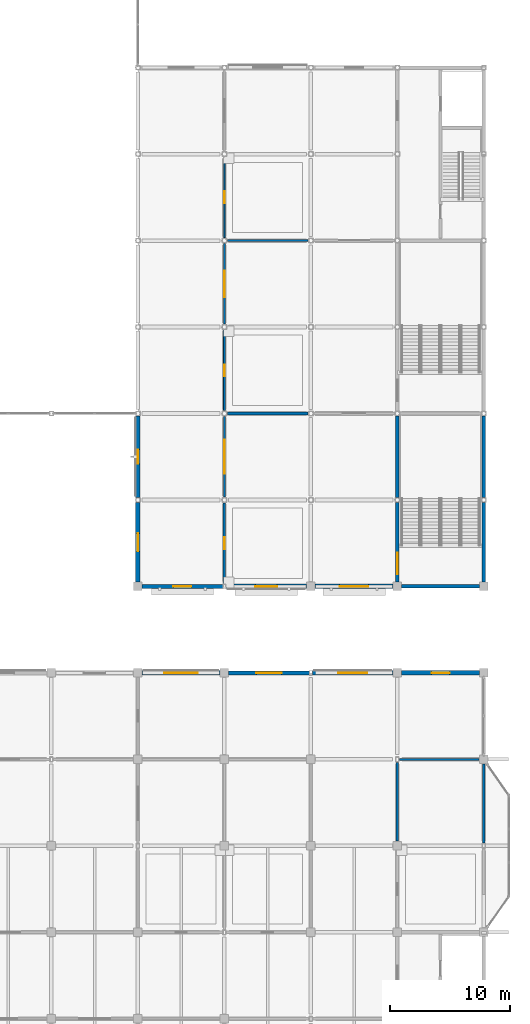
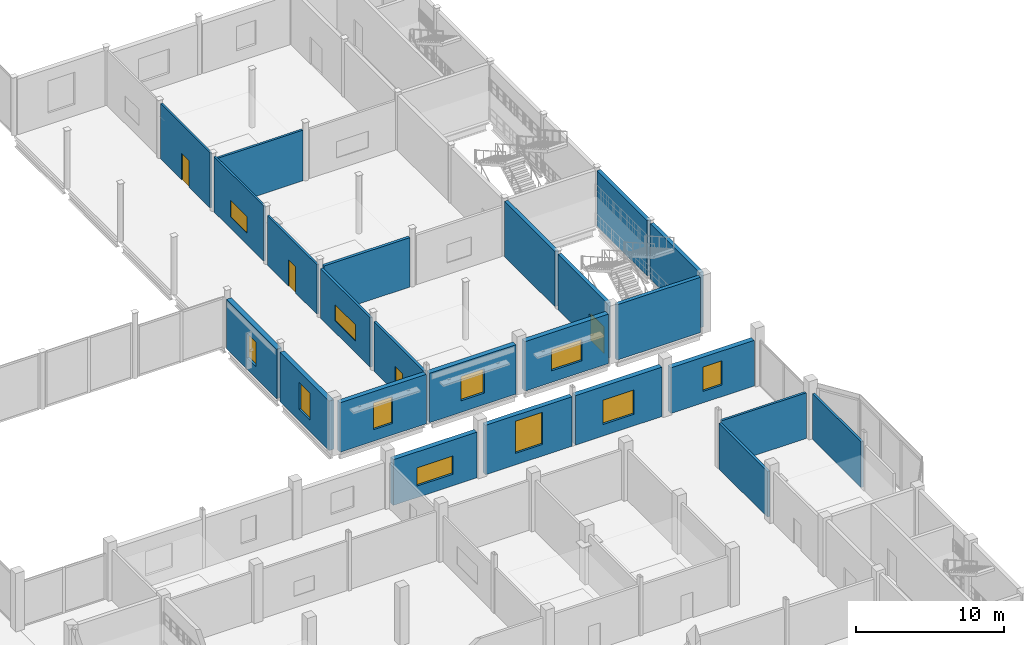
# One storey, part 97 of 120: 24 walls, 11 windows, 4 doors, 15 openings.
"""IFC4 building model written with IfcOpenShell, lengths in metres."""

import ifcopenshell
import ifcopenshell.guid

model = None  # the IFC model being written
_history = None  # IfcOwnerHistory: only IFC2X3 demands one
_inside = {}  # id of a spatial element -> (the spatial element, [elements in it])
_under = {}  # id of a project, library or spatial element -> (it, [spatial elements below it])
_declared = {}  # id of a project -> (the project, [libraries it declares])
_typed = {}  # id of a type object -> (the type object, [elements of that type])
_made_of = {}  # id of a material, layer set ... -> (it, [elements and type objects made of it])


def new_model(schema):
    """Start an empty IFC model of exactly this schema.

    Asked for "IFC4X3", IfcOpenShell would pick the latest addendum, in which some entities
    have other attributes; the version numbers below select the first issue.
    IFC2X3 requires an IfcOwnerHistory on every rooted entity: one is made here for all.
    """
    global model, _history
    if schema == "IFC4X3":
        model = ifcopenshell.file(schema_version=(4, 3, 0, 0))
    else:
        model = ifcopenshell.file(schema=schema)
    _inside.clear()
    _under.clear()
    _declared.clear()
    _typed.clear()
    _made_of.clear()
    _history = None
    if model.schema == "IFC2X3":
        org = make("IfcOrganization", Name="unknown")
        user = make(
            "IfcPersonAndOrganization",
            ThePerson=make("IfcPerson", FamilyName="unknown"),
            TheOrganization=org,
        )
        app = make(
            "IfcApplication",
            ApplicationDeveloper=org,
            Version="unknown",
            ApplicationFullName="unknown",
            ApplicationIdentifier="unknown",
        )
        _history = make(
            "IfcOwnerHistory",
            OwningUser=user,
            OwningApplication=app,
            ChangeAction="ADDED",
            CreationDate=0,
        )
    return model


def make(cls, **values):
    """One entity of the class cls with the attributes given. An attribute that is None is left unset."""
    return model.create_entity(
        cls, **{name: value for name, value in values.items() if value is not None}
    )


def rooted(cls, **values):
    """An entity with a GlobalId (a new one), such as an element, a storey or a relation."""
    return make(cls, GlobalId=ifcopenshell.guid.new(), OwnerHistory=_history, **values)


def si_unit(unit_type, name, prefix=None):
    """IfcSIUnit, for example si_unit("LENGTHUNIT", "METRE", prefix="MILLI")."""
    return make("IfcSIUnit", UnitType=unit_type, Prefix=prefix, Name=name)


def assignment(units):
    """IfcUnitAssignment: the units of a project."""
    return None if units is None else make("IfcUnitAssignment", Units=units)


def point(xyz):
    """IfcCartesianPoint."""
    return None if xyz is None else make("IfcCartesianPoint", Coordinates=xyz)


def direction(xyz):
    """IfcDirection."""
    return None if xyz is None else make("IfcDirection", DirectionRatios=xyz)


def frame(location, z_axis=None, x_axis=None):
    """IfcAxis2Placement3D, a coordinate frame: its origin and axes. An axis left out is left unset."""
    return make(
        "IfcAxis2Placement3D",
        Location=point(location),
        Axis=direction(z_axis),
        RefDirection=direction(x_axis),
    )


def frame_2d(location, x_axis=None):
    """IfcAxis2Placement2D, a coordinate frame in the plane: its origin and x axis."""
    return make(
        "IfcAxis2Placement2D", Location=point(location), RefDirection=direction(x_axis)
    )


def origin():
    """The frame at (0, 0, 0) with its axes left unset."""
    return frame((0.0, 0.0, 0.0))


def place(relative_to, where):
    """IfcLocalPlacement: puts the frame where relative to a parent placement (None: the world)."""
    return make(
        "IfcLocalPlacement", PlacementRelTo=relative_to, RelativePlacement=where
    )


def context(
    kind, dimensions, precision=None, world=None, true_north=None, identifier=None
):
    """IfcGeometricRepresentationContext, for example the 3D "Model" context."""
    return make(
        "IfcGeometricRepresentationContext",
        ContextIdentifier=identifier,
        ContextType=kind,
        CoordinateSpaceDimension=dimensions,
        Precision=precision,
        WorldCoordinateSystem=world,
        TrueNorth=true_north,
    )


def subcontext(parent, identifier, kind, view, scale=None):
    """IfcGeometricRepresentationSubContext, for example "Body" below "Model"."""
    return make(
        "IfcGeometricRepresentationSubContext",
        ContextIdentifier=identifier,
        ContextType=kind,
        ParentContext=parent,
        TargetScale=scale,
        TargetView=view,
    )


def project(units=None, contexts=None):
    """IfcProject with its units and contexts."""
    return rooted(
        "IfcProject",
        Name="project",
        RepresentationContexts=contexts,
        UnitsInContext=assignment(units),
    )


def spatial(cls, under=None, at=None, **own):
    """A site, building, storey or space (cls), placed at a placement, below another one or the project."""
    s = rooted(cls, ObjectPlacement=at, **own)
    if under is not None:
        _under.setdefault(under.id(), (under, []))[1].append(s)
    return s


def profile(cls, at=None, kind="AREA", **sizes):
    """A parametric profile (cls). Its sizes go by their IFC names, for example OverallWidth=200.0."""
    return make(cls, ProfileType=kind, Position=at, **sizes)


def rectangle(**sizes):
    """IfcRectangleProfileDef."""
    return profile("IfcRectangleProfileDef", **sizes)


def extrude(swept, where, along, depth):
    """IfcExtrudedAreaSolid: the profile swept, set in the frame where, extruded along a direction by depth."""
    return make(
        "IfcExtrudedAreaSolid",
        SweptArea=swept,
        Position=where,
        ExtrudedDirection=direction(along),
        Depth=depth,
    )


def shape(context_of_items, identifier, shape_type, items):
    """IfcShapeRepresentation: the items that make up one representation, for example the "Body"."""
    return make(
        "IfcShapeRepresentation",
        ContextOfItems=context_of_items,
        RepresentationIdentifier=identifier,
        RepresentationType=shape_type,
        Items=items,
    )


def material(Name=None, Category=None):
    """IfcMaterial."""
    return make("IfcMaterial", Name=Name, Category=Category)


def layer(
    of_material, thickness, ventilated=None, Name=None, Category=None, Priority=None
):
    """IfcMaterialLayer: one layer of a wall or slab, of a material (None: an air gap)."""
    return make(
        "IfcMaterialLayer",
        Material=of_material,
        LayerThickness=thickness,
        IsVentilated=ventilated,
        Name=Name,
        Category=Category,
        Priority=Priority,
    )


def layer_set(layers, Name=None):
    """IfcMaterialLayerSet."""
    return make("IfcMaterialLayerSet", MaterialLayers=layers, LayerSetName=Name)


def made_of(thing, what):
    """Note that an element or type object is made of a material, layer set ...; save() writes the relation."""
    if what is not None:
        _made_of.setdefault(what.id(), (what, []))[1].append(thing)
    return thing


def type_object(cls, material=None, **own):
    """A type object (cls), such as IfcWallType, which elements share."""
    return made_of(rooted(cls, **own), material)


def element(
    cls,
    number,
    at=None,
    inside=None,
    cuts=None,
    type_object=None,
    material=None,
    context=None,
    identifier="Body",
    shape_type=None,
    held_by="IfcProductDefinitionShape",
    body=None,
    shapes=None,
    **own,
):
    """One element of the class cls, such as IfcWall. Its Tag is "e" and its number.

    at: its placement. inside: the storey or other place that contains it. cuts: it is an
    opening in that element (IfcRelVoidsElement). A single representation is given by context,
    identifier, shape_type and body (its items); several are given by shapes. held_by: the class
    of the entity that holds the representations. save() writes the other relations.
    """
    e = rooted(cls, Tag="e%d" % number, ObjectPlacement=at, **own)
    if body is not None:
        shapes = [shape(context, identifier, shape_type, body)]
    if shapes is not None:
        e.Representation = make(held_by, Representations=shapes)
    if inside is not None:
        _inside.setdefault(inside.id(), (inside, []))[1].append(e)
    if cuts is not None:
        rooted(
            "IfcRelVoidsElement", RelatingBuildingElement=cuts, RelatedOpeningElement=e
        )
    if type_object is not None:
        _typed.setdefault(type_object.id(), (type_object, []))[1].append(e)
    return made_of(e, material)


def fill(opening, filler):
    """IfcRelFillsElement: the door or window that sits in an opening."""
    return rooted(
        "IfcRelFillsElement",
        RelatingOpeningElement=opening,
        RelatedBuildingElement=filler,
    )


def aggregate(whole, parts):
    """IfcRelAggregates: a whole, such as a stair, and the parts it consists of."""
    return rooted("IfcRelAggregates", RelatingObject=whole, RelatedObjects=parts)


def save(model, path):
    """Write the relations noted so far, then the file.

    IfcRelAggregates (storeys below a building ...), IfcRelContainedInSpatialStructure (elements
    in a storey), IfcRelDefinesByType, IfcRelAssociatesMaterial and IfcRelDeclares: one each for
    every whole, place, type object, material and project.
    """
    for whole, parts in _under.values():
        aggregate(whole, parts)
    for where, things in _inside.values():
        rooted(
            "IfcRelContainedInSpatialStructure",
            RelatedElements=things,
            RelatingStructure=where,
        )
    for kind, things in _typed.values():
        rooted("IfcRelDefinesByType", RelatedObjects=things, RelatingType=kind)
    for what, things in _made_of.values():
        rooted("IfcRelAssociatesMaterial", RelatedObjects=things, RelatingMaterial=what)
    for by, libraries in _declared.values():
        rooted("IfcRelDeclares", RelatingContext=by, RelatedDefinitions=libraries)
    model.write(path)


model = new_model("IFC4")

# Units and contexts
model_context = context("Model", 3, precision=1e-05, world=origin(), true_north=direction((0.0, 1.0)))
body_context = subcontext(model_context, "Body", "Model", "MODEL_VIEW")
ifc_project = project(units=[si_unit("LENGTHUNIT", "METRE"), si_unit("AREAUNIT", "SQUARE_METRE"), si_unit("VOLUMEUNIT", "CUBIC_METRE"), si_unit("PLANEANGLEUNIT", "RADIAN"), si_unit("MASSUNIT", "GRAM", prefix="KILO")], contexts=[model_context])

# Site, building, storey
site_placement = place(None, origin())
site = spatial("IfcSite", under=ifc_project, at=site_placement, CompositionType="ELEMENT")
building_placement = place(site_placement, origin())
building = spatial("IfcBuilding", under=site, at=building_placement, Name="Vesperath Aquatics Centre", CompositionType="ELEMENT")
storey_placement = place(building_placement, frame((0.0, 0.0, 10.199951171875)))
storey = spatial("IfcBuildingStorey", under=building, at=storey_placement, Name="L02", CompositionType="ELEMENT", Elevation=10.199951171875)

# Wall, opening, window
ifc_material_1 = material(Name="Red-terracotta brick insulated cavity wall", Category="masonry")
ifc_layer_1 = layer(ifc_material_1, 0.3798828125)
ifc_layer_set_1 = layer_set([ifc_layer_1], Name="Red-terracotta brick insulated cavity wall")
wall_type_1 = type_object("IfcWallType", Name="WL-EW02", PredefinedType="SOLIDWALL", material=ifc_layer_set_1)
wall_1_placement = place(storey_placement, frame((144.35009765625, 43.199951171875, 0.0), z_axis=(0.0, 0.0, 1.0), x_axis=(1.0, 0.0, 0.0)))
wall_1 = element("IfcWall", 1, at=wall_1_placement, inside=storey, type_object=wall_type_1, Name="Exterior Wall EW02 L02_N_20_06", PredefinedType="SOLIDWALL", context=body_context, shape_type="SweptSolid", body=[
    extrude(rectangle(XDim=6.5, YDim=0.3798828125, at=frame_2d((3.25, 0.0))), origin(), (0.0, 0.0, 1.0), 3.760009765625),
])
opening_1_placement = place(wall_1_placement, frame((1.85009765625, 0.0, 0.949951171875)))
opening_1 = element("IfcOpeningElement", 2, at=opening_1_placement, cuts=wall_1, Name="Opening W15", PredefinedType="OPENING", context=body_context, shape_type="SweptSolid", body=[
    extrude(rectangle(XDim=2.800048828125, YDim=1.5, at=frame_2d((1.39990234375, 0.75))), frame((0.0, 0.204833984375, 0.0), z_axis=(0.0, -1.0, 0.0), x_axis=(1.0, 0.0, 0.0)), (0.0, 0.0, 1.0), 0.40966796875),
])
ifc_material_2 = material(Name="Thermally broken aluminium triple-glazed window", Category="aluminium")
window_type_1 = type_object("IfcWindowType", Name="WN-W15", PartitioningType="SINGLE_PANEL", PredefinedType="WINDOW", material=ifc_material_2)
window_1_placement = place(opening_1_placement, origin())
window_1 = element("IfcWindow", 3, at=window_1_placement, inside=storey, type_object=window_type_1, Name="Deep-Reveal Casement Window W15 L02_N_20_06", OverallHeight=1.5, OverallWidth=2.800048828125, PartitioningType="SINGLE_PANEL", PredefinedType="WINDOW", context=body_context, shape_type="SweptSolid", body=[
    extrude(rectangle(XDim=2.800048828125, YDim=1.5, at=frame_2d((1.39990234375, 0.75))), frame((0.0, 0.030029296875, 0.0), z_axis=(0.0, -1.0, 0.0), x_axis=(1.0, 0.0, 0.0)), (0.0, 0.0, 1.0), 0.06005859375),
])
fill(opening_1, window_1)

wall_2_placement = place(storey_placement, frame((158.52490234375, 43.199951171875, 0.0), z_axis=(0.0, 0.0, 1.0), x_axis=(1.0, 0.0, 0.0)))
wall_2 = element("IfcWall", 4, at=wall_2_placement, inside=storey, type_object=wall_type_1, Name="Exterior Wall EW02 L02_N_22_06", PredefinedType="SOLIDWALL", context=body_context, shape_type="SweptSolid", body=[
    extrude(rectangle(XDim=6.72509765625, YDim=0.3798828125, at=frame_2d((3.362548828125, 0.0))), origin(), (0.0, 0.0, 1.0), 4.072021484375),
])
opening_2_placement = place(wall_2_placement, frame((2.162109375, 0.0, 0.949951171875)))
opening_2 = element("IfcOpeningElement", 5, at=opening_2_placement, cuts=wall_2, Name="Opening W05", PredefinedType="OPENING", context=body_context, shape_type="SweptSolid", body=[
    extrude(rectangle(XDim=2.39990234375, YDim=2.0, at=frame_2d((1.199951171875, 1.0))), frame((0.0, 0.204833984375, 0.0), z_axis=(0.0, -1.0, 0.0), x_axis=(1.0, 0.0, 0.0)), (0.0, 0.0, 1.0), 0.40966796875),
])
window_type_2 = type_object("IfcWindowType", Name="WN-W05", PartitioningType="SINGLE_PANEL", PredefinedType="WINDOW", material=ifc_material_2)
window_2_placement = place(opening_2_placement, origin())
window_2 = element("IfcWindow", 6, at=window_2_placement, inside=storey, type_object=window_type_2, Name="Deep-Reveal Casement Window W05 L02_N_22_06", OverallHeight=2.0, OverallWidth=2.39990234375, PartitioningType="SINGLE_PANEL", PredefinedType="WINDOW", context=body_context, shape_type="SweptSolid", body=[
    extrude(rectangle(XDim=2.39990234375, YDim=2.0, at=frame_2d((1.199951171875, 1.0))), frame((0.0, 0.030029296875, 0.0), z_axis=(0.0, -1.0, 0.0), x_axis=(1.0, 0.0, 0.0)), (0.0, 0.0, 1.0), 0.06005859375),
])
fill(opening_2, window_2)

wall_3_placement = place(storey_placement, frame((165.949951171875, 43.199951171875, 0.0), z_axis=(0.0, 0.0, 1.0), x_axis=(1.0, 0.0, 0.0)))
wall_3 = element("IfcWall", 7, at=wall_3_placement, inside=storey, type_object=wall_type_1, Name="Exterior Wall EW02 L02_N_23_06", PredefinedType="SOLIDWALL", context=body_context, shape_type="SweptSolid", body=[
    extrude(rectangle(XDim=6.5, YDim=0.3798828125, at=frame_2d((3.25, 0.0))), origin(), (0.0, 0.0, 1.0), 3.760009765625),
])
opening_3_placement = place(wall_3_placement, frame((2.5, 0.0, 0.949951171875)))
opening_3 = element("IfcOpeningElement", 8, at=opening_3_placement, cuts=wall_3, Name="Opening W08", PredefinedType="OPENING", context=body_context, shape_type="SweptSolid", body=[
    extrude(rectangle(XDim=1.5, YDim=2.0, at=frame_2d((0.75, 1.0))), frame((0.0, 0.204833984375, 0.0), z_axis=(0.0, -1.0, 0.0), x_axis=(1.0, 0.0, 0.0)), (0.0, 0.0, 1.0), 0.40966796875),
])
window_type_3 = type_object("IfcWindowType", Name="WN-W08", PartitioningType="SINGLE_PANEL", PredefinedType="WINDOW", material=ifc_material_2)
window_3_placement = place(opening_3_placement, origin())
window_3 = element("IfcWindow", 9, at=window_3_placement, inside=storey, type_object=window_type_3, Name="Deep-Reveal Casement Window W08 L02_N_23_06", OverallHeight=2.0, OverallWidth=1.5, PartitioningType="SINGLE_PANEL", PredefinedType="WINDOW", context=body_context, shape_type="SweptSolid", body=[
    extrude(rectangle(XDim=1.5, YDim=2.0, at=frame_2d((0.75, 1.0))), frame((0.0, 0.030029296875, 0.0), z_axis=(0.0, -1.0, 0.0), x_axis=(1.0, 0.0, 0.0)), (0.0, 0.0, 1.0), 0.06005859375),
])
fill(opening_3, window_3)

wall_4_placement = place(storey_placement, frame((151.324951171875, 50.39990234375, 0.0), z_axis=(0.0, 0.0, 1.0), x_axis=(1.0, 0.0, 0.0)))
wall_4 = element("IfcWall", 10, at=wall_4_placement, inside=storey, type_object=wall_type_1, Name="Exterior Wall EW02 L02_S_21_07", PredefinedType="SOLIDWALL", context=body_context, shape_type="SweptSolid", body=[
    extrude(rectangle(XDim=6.72509765625, YDim=0.3798828125, at=frame_2d((3.362548828125, 0.0))), origin(), (0.0, 0.0, 1.0), 4.072021484375),
])
opening_4_placement = place(wall_4_placement, frame((2.462890625, 0.0, 0.949951171875)))
opening_4 = element("IfcOpeningElement", 11, at=opening_4_placement, cuts=wall_4, Name="Opening W07", PredefinedType="OPENING", context=body_context, shape_type="SweptSolid", body=[
    extrude(rectangle(XDim=1.800048828125, YDim=2.0, at=frame_2d((0.89990234375, 1.0))), frame((0.0, 0.204833984375, 0.0), z_axis=(0.0, -1.0, 0.0), x_axis=(1.0, 0.0, 0.0)), (0.0, 0.0, 1.0), 0.40966796875),
])
window_type_4 = type_object("IfcWindowType", Name="WN-W07", PartitioningType="SINGLE_PANEL", PredefinedType="WINDOW", material=ifc_material_2)
window_4_placement = place(opening_4_placement, origin())
window_4 = element("IfcWindow", 12, at=window_4_placement, inside=storey, type_object=window_type_4, Name="Deep-Reveal Casement Window W07 L02_S_21_07", OverallHeight=2.0, OverallWidth=1.800048828125, PartitioningType="SINGLE_PANEL", PredefinedType="WINDOW", context=body_context, shape_type="SweptSolid", body=[
    extrude(rectangle(XDim=1.800048828125, YDim=2.0, at=frame_2d((0.89990234375, 1.0))), frame((0.0, 0.030029296875, 0.0), z_axis=(0.0, -1.0, 0.0), x_axis=(1.0, 0.0, 0.0)), (0.0, 0.0, 1.0), 0.06005859375),
])
fill(opening_4, window_4)

wall_5_placement = place(storey_placement, frame((158.75, 50.39990234375, 0.0), z_axis=(0.0, 0.0, 1.0), x_axis=(1.0, 0.0, 0.0)))
wall_5 = element("IfcWall", 13, at=wall_5_placement, inside=storey, type_object=wall_type_1, Name="Exterior Wall EW02 L02_S_22_07", PredefinedType="SOLIDWALL", context=body_context, shape_type="SweptSolid", body=[
    extrude(rectangle(XDim=6.5, YDim=0.3798828125, at=frame_2d((3.25, 0.0))), origin(), (0.0, 0.0, 1.0), 4.072021484375),
])
opening_5_placement = place(wall_5_placement, frame((2.050048828125, 0.0, 0.949951171875)))
opening_5 = element("IfcOpeningElement", 14, at=opening_5_placement, cuts=wall_5, Name="Opening W10", PredefinedType="OPENING", context=body_context, shape_type="SweptSolid", body=[
    extrude(rectangle(XDim=2.39990234375, YDim=1.75, at=frame_2d((1.199951171875, 0.875))), frame((0.0, 0.204833984375, 0.0), z_axis=(0.0, -1.0, 0.0), x_axis=(1.0, 0.0, 0.0)), (0.0, 0.0, 1.0), 0.40966796875),
])
window_type_5 = type_object("IfcWindowType", Name="WN-W10", PartitioningType="SINGLE_PANEL", PredefinedType="WINDOW", material=ifc_material_2)
window_5_placement = place(opening_5_placement, origin())
window_5 = element("IfcWindow", 15, at=window_5_placement, inside=storey, type_object=window_type_5, Name="Deep-Reveal Casement Window W10 L02_S_22_07", OverallHeight=1.75, OverallWidth=2.39990234375, PartitioningType="SINGLE_PANEL", PredefinedType="WINDOW", context=body_context, shape_type="SweptSolid", body=[
    extrude(rectangle(XDim=2.39990234375, YDim=1.75, at=frame_2d((1.199951171875, 0.875))), frame((0.0, 0.030029296875, 0.0), z_axis=(0.0, -1.0, 0.0), x_axis=(1.0, 0.0, 0.0)), (0.0, 0.0, 1.0), 0.06005859375),
])
fill(opening_5, window_5)

wall_6_placement = place(storey_placement, frame((144.0, 57.80322265625, 0.0), z_axis=(0.0, 0.0, 1.0), x_axis=(0.0, 1.0, 0.0)))
wall_6 = element("IfcWall", 16, at=wall_6_placement, inside=storey, type_object=wall_type_1, Name="Exterior Wall EW02 L02_W_20_08", PredefinedType="SOLIDWALL", context=body_context, shape_type="SweptSolid", body=[
    extrude(rectangle(XDim=6.79345703125, YDim=0.3798828125, at=frame_2d((3.396728515625, 0.0))), origin(), (0.0, 0.0, 1.0), 4.072021484375),
])
opening_6_placement = place(wall_6_placement, frame((2.797119140625, 0.0, 0.949951171875)))
opening_6 = element("IfcOpeningElement", 17, at=opening_6_placement, cuts=wall_6, Name="Opening W09", PredefinedType="OPENING", context=body_context, shape_type="SweptSolid", body=[
    extrude(rectangle(XDim=1.199951171875, YDim=2.0, at=frame_2d((0.60009765625, 1.0))), frame((0.0, 0.204833984375, 0.0), z_axis=(0.0, -1.0, 0.0), x_axis=(1.0, 0.0, 0.0)), (0.0, 0.0, 1.0), 0.40966796875),
])
window_type_6 = type_object("IfcWindowType", Name="WN-W09", PartitioningType="SINGLE_PANEL", PredefinedType="WINDOW", material=ifc_material_2)
window_6_placement = place(opening_6_placement, origin())
window_6 = element("IfcWindow", 18, at=window_6_placement, inside=storey, type_object=window_type_6, Name="Deep-Reveal Casement Window W09 L02_W_20_08", OverallHeight=2.0, OverallWidth=1.199951171875, PartitioningType="SINGLE_PANEL", PredefinedType="WINDOW", context=body_context, shape_type="SweptSolid", body=[
    extrude(rectangle(XDim=1.199951171875, YDim=2.0, at=frame_2d((0.60009765625, 1.0))), frame((0.0, 0.030029296875, 0.0), z_axis=(0.0, -1.0, 0.0), x_axis=(1.0, 0.0, 0.0)), (0.0, 0.0, 1.0), 0.06005859375),
])
fill(opening_6, window_6)

ifc_material_3 = material(Name="Glazed majolica and brick insulated cavity wall", Category="masonry")
ifc_layer_2 = layer(ifc_material_3, 0.360107421875)
ifc_layer_set_2 = layer_set([ifc_layer_2], Name="Glazed majolica and brick insulated cavity wall")
wall_type_2 = type_object("IfcWallType", Name="WL-EW03", PredefinedType="SOLIDWALL", material=ifc_layer_set_2)
wall_7_placement = place(storey_placement, frame((151.550048828125, 43.199951171875, 0.0), z_axis=(0.0, 0.0, 1.0), x_axis=(1.0, 0.0, 0.0)))
wall_7 = element("IfcWall", 19, at=wall_7_placement, inside=storey, type_object=wall_type_2, Name="Exterior Wall EW03 L02_N_21_06", PredefinedType="SOLIDWALL", context=body_context, shape_type="SweptSolid", body=[
    extrude(rectangle(XDim=6.724853515625, YDim=0.360107421875, at=frame_2d((3.3623046875, 0.0))), origin(), (0.0, 0.0, 1.0), 4.072021484375),
])
opening_7_placement = place(wall_7_placement, frame((2.31201171875, 0.0, 0.949951171875)))
opening_7 = element("IfcOpeningElement", 20, at=opening_7_placement, cuts=wall_7, Name="Opening W02", PredefinedType="OPENING", context=body_context, shape_type="SweptSolid", body=[
    extrude(rectangle(XDim=2.10009765625, YDim=2.64990234375, at=frame_2d((1.050048828125, 1.324951171875))), frame((0.0, 0.19482421875, 0.0), z_axis=(0.0, -1.0, 0.0), x_axis=(1.0, 0.0, 0.0)), (0.0, 0.0, 1.0), 0.389892578125),
])
window_type_7 = type_object("IfcWindowType", Name="WN-W02", PartitioningType="SINGLE_PANEL", PredefinedType="WINDOW", material=ifc_material_2)
window_7_placement = place(opening_7_placement, origin())
window_7 = element("IfcWindow", 21, at=window_7_placement, inside=storey, type_object=window_type_7, Name="Deep-Reveal Casement Window W02 L02_N_21_06", OverallHeight=2.64990234375, OverallWidth=2.10009765625, PartitioningType="SINGLE_PANEL", PredefinedType="WINDOW", context=body_context, shape_type="SweptSolid", body=[
    extrude(rectangle(XDim=2.10009765625, YDim=2.64990234375, at=frame_2d((1.050048828125, 1.324951171875))), frame((0.0, 0.030029296875, 0.0), z_axis=(0.0, -1.0, 0.0), x_axis=(1.0, 0.0, 0.0)), (0.0, 0.0, 1.0), 0.06005859375),
])
fill(opening_7, window_7)

wall_8_placement = place(storey_placement, frame((144.35009765625, 50.39990234375, 0.0), z_axis=(0.0, 0.0, 1.0), x_axis=(1.0, 0.0, 0.0)))
wall_8 = element("IfcWall", 22, at=wall_8_placement, inside=storey, type_object=wall_type_2, Name="Exterior Wall EW03 L02_S_20_07", PredefinedType="SOLIDWALL", context=body_context, shape_type="SweptSolid", body=[
    extrude(rectangle(XDim=6.724853515625, YDim=0.360107421875, at=frame_2d((3.3623046875, 0.0))), origin(), (0.0, 0.0, 1.0), 4.072021484375),
])
opening_8_placement = place(wall_8_placement, frame((2.612060546875, 0.0, 0.949951171875)))
opening_8 = element("IfcOpeningElement", 23, at=opening_8_placement, cuts=wall_8, Name="Opening W04", PredefinedType="OPENING", context=body_context, shape_type="SweptSolid", body=[
    extrude(rectangle(XDim=1.5, YDim=2.199951171875, at=frame_2d((0.75, 1.10009765625))), frame((0.0, 0.19482421875, 0.0), z_axis=(0.0, -1.0, 0.0), x_axis=(1.0, 0.0, 0.0)), (0.0, 0.0, 1.0), 0.389892578125),
])
window_type_8 = type_object("IfcWindowType", Name="WN-W04", PartitioningType="SINGLE_PANEL", PredefinedType="WINDOW", material=ifc_material_2)
window_8_placement = place(opening_8_placement, origin())
window_8 = element("IfcWindow", 24, at=window_8_placement, inside=storey, type_object=window_type_8, Name="Deep-Reveal Casement Window W04 L02_S_20_07", OverallHeight=2.199951171875, OverallWidth=1.5, PartitioningType="SINGLE_PANEL", PredefinedType="WINDOW", context=body_context, shape_type="SweptSolid", body=[
    extrude(rectangle(XDim=1.5, YDim=2.199951171875, at=frame_2d((0.75, 1.10009765625))), frame((0.0, 0.030029296875, 0.0), z_axis=(0.0, -1.0, 0.0), x_axis=(1.0, 0.0, 0.0)), (0.0, 0.0, 1.0), 0.06005859375),
])
fill(opening_8, window_8)

wall_9_placement = place(storey_placement, frame((144.0, 50.75, 0.0), z_axis=(0.0, 0.0, 1.0), x_axis=(0.0, 1.0, 0.0)))
wall_9 = element("IfcWall", 25, at=wall_9_placement, inside=storey, type_object=wall_type_2, Name="Exterior Wall EW03 L02_W_20_07", PredefinedType="SOLIDWALL", context=body_context, shape_type="SweptSolid", body=[
    extrude(rectangle(XDim=6.646728515625, YDim=0.360107421875, at=frame_2d((3.3232421875, 0.0))), origin(), (0.0, 0.0, 1.0), 4.072021484375),
])
opening_9_placement = place(wall_9_placement, frame((2.572998046875, 0.0, 0.949951171875)))
opening_9 = element("IfcOpeningElement", 26, at=opening_9_placement, cuts=wall_9, Name="Opening W04", PredefinedType="OPENING", context=body_context, shape_type="SweptSolid", body=[
    extrude(rectangle(XDim=1.5, YDim=2.199951171875, at=frame_2d((0.75, 1.10009765625))), frame((0.0, 0.19482421875, 0.0), z_axis=(0.0, -1.0, 0.0), x_axis=(1.0, 0.0, 0.0)), (0.0, 0.0, 1.0), 0.389892578125),
])
window_9_placement = place(opening_9_placement, origin())
window_9 = element("IfcWindow", 27, at=window_9_placement, inside=storey, type_object=window_type_8, Name="Deep-Reveal Casement Window W04 L02_W_20_07", OverallHeight=2.199951171875, OverallWidth=1.5, PartitioningType="SINGLE_PANEL", PredefinedType="WINDOW", context=body_context, shape_type="SweptSolid", body=[
    extrude(rectangle(XDim=1.5, YDim=2.199951171875, at=frame_2d((0.75, 1.10009765625))), frame((0.0, 0.030029296875, 0.0), z_axis=(0.0, -1.0, 0.0), x_axis=(1.0, 0.0, 0.0)), (0.0, 0.0, 1.0), 0.06005859375),
])
fill(opening_9, window_9)

# Walls
ifc_material_4 = material(Name="Masonry fire compartment wall", Category="masonry")
ifc_layer_3 = layer(ifc_material_4, 0.219970703125)
ifc_layer_set_3 = layer_set([ifc_layer_3], Name="Masonry fire compartment wall")
wall_type_3 = type_object("IfcWallType", Name="WL-FW02", PredefinedType="SOLIDWALL", material=ifc_layer_set_3)
wall_10_placement = place(storey_placement, frame((151.453125, 64.800048828125, 0.0), z_axis=(0.0, 0.0, 1.0), x_axis=(1.0, 0.0, 0.0)))
element("IfcWall", 28, at=wall_10_placement, inside=storey, type_object=wall_type_3, Name="Interior Partition FW02 L02_CLUB_1-N1", PredefinedType="SOLIDWALL", context=body_context, shape_type="SweptSolid", body=[
    extrude(rectangle(XDim=6.693603515625, YDim=0.219970703125, at=frame_2d((3.3466796875, 0.0))), origin(), (0.0, 0.0, 1.0), 4.072021484375),
])
ifc_material_5 = material(Name="Wet-village masonry block wall", Category="masonry")
ifc_layer_4 = layer(ifc_material_5, 0.199951171875)
ifc_layer_set_4 = layer_set([ifc_layer_4], Name="Wet-village masonry block wall")
wall_type_4 = type_object("IfcWallType", Name="WL-FW03", PredefinedType="SOLIDWALL", material=ifc_layer_set_4)
wall_11_placement = place(storey_placement, frame((165.60009765625, 29.199951171875, 0.0), z_axis=(0.0, 0.0, 1.0), x_axis=(0.0, 1.0, 0.0)))
element("IfcWall", 29, at=wall_11_placement, inside=storey, type_object=wall_type_4, Name="Interior Partition FW03 L02_AWC-W2", PredefinedType="SOLIDWALL", context=body_context, shape_type="SweptSolid", body=[
    extrude(rectangle(XDim=6.550048828125, YDim=0.199951171875, at=frame_2d((3.27490234375, 0.0))), origin(), (0.0, 0.0, 1.0), 3.760009765625),
])

# Wall, opening, door
ifc_material_6 = material(Name="Plant acoustic masonry wall", Category="masonry")
ifc_layer_5 = layer(ifc_material_6, 0.18994140625)
ifc_layer_set_5 = layer_set([ifc_layer_5], Name="Plant acoustic masonry wall")
wall_type_5 = type_object("IfcWallType", Name="WL-FW04", PredefinedType="SOLIDWALL", material=ifc_layer_set_5)
wall_12_placement = place(storey_placement, frame((151.199951171875, 50.64990234375, 0.0), z_axis=(0.0, 0.0, 1.0), x_axis=(0.0, 1.0, 0.0)))
wall_12 = element("IfcWall", 30, at=wall_12_placement, inside=storey, type_object=wall_type_5, Name="Interior Partition FW04 L02_CLUB_1-W1", PredefinedType="SOLIDWALL", context=body_context, shape_type="SweptSolid", body=[
    extrude(rectangle(XDim=6.69677734375, YDim=0.18994140625, at=frame_2d((3.348388671875, 0.0))), origin(), (0.0, 0.0, 1.0), 4.072021484375),
])
opening_10_placement = place(wall_12_placement, frame((2.860107421875, 0.0, 0.0)))
opening_10 = element("IfcOpeningElement", 31, at=opening_10_placement, cuts=wall_12, Name="Opening D27", PredefinedType="OPENING", context=body_context, shape_type="SweptSolid", body=[
    extrude(rectangle(XDim=0.97998046875, YDim=2.14990234375, at=frame_2d((0.489990234375, 1.074951171875))), frame((0.0, 0.10986328125, 0.0), z_axis=(0.0, -1.0, 0.0), x_axis=(1.0, 0.0, 0.0)), (0.0, 0.0, 1.0), 0.2197265625),
])
ifc_material_7 = material(Name="Thermal spa cedar-lined glazed door", Category="aluminium")
door_type_1 = type_object("IfcDoorType", Name="DR-RM19", OperationType="NOTDEFINED", PredefinedType="DOOR", material=ifc_material_7)
door_1_placement = place(opening_10_placement, frame((0.97998046875, 0.0, 0.0), z_axis=(0.0, 0.0, 1.0), x_axis=(-1.0, 0.0, 0.0)))
door_1 = element("IfcDoor", 32, at=door_1_placement, inside=storey, type_object=door_type_1, Name="Regional Swimming Club Hall Door D27", OperationType="SINGLE_SWING_LEFT", OverallHeight=2.14990234375, OverallWidth=0.97998046875, PredefinedType="DOOR", context=body_context, shape_type="SweptSolid", body=[
    extrude(rectangle(XDim=0.97998046875, YDim=2.14990234375, at=frame_2d((0.489990234375, 1.074951171875))), frame((0.0, 0.02490234375, 0.0), z_axis=(0.0, -1.0, 0.0), x_axis=(1.0, 0.0, 0.0)), (0.0, 0.0, 1.0), 0.050048828125),
])
fill(opening_10, door_1)

# Wall, opening, window
ifc_material_8 = material(Name="Double-stud acoustic studio partition", Category="gypsum")
ifc_layer_6 = layer(ifc_material_8, 0.18505859375)
ifc_layer_set_6 = layer_set([ifc_layer_6], Name="Double-stud acoustic studio partition")
wall_type_6 = type_object("IfcWallType", Name="WL-IW01", PredefinedType="PARTITIONING", material=ifc_layer_set_6)
wall_13_placement = place(storey_placement, frame((151.199951171875, 57.853271484375, 0.0), z_axis=(0.0, 0.0, 1.0), x_axis=(0.0, 1.0, 0.0)))
wall_13 = element("IfcWall", 33, at=wall_13_placement, inside=storey, type_object=wall_type_6, Name="Interior Partition IW01 L02_CLUB_1-W2", PredefinedType="PARTITIONING", context=body_context, shape_type="SweptSolid", body=[
    extrude(rectangle(XDim=6.693603515625, YDim=0.18505859375, at=frame_2d((3.3466796875, 0.0))), origin(), (0.0, 0.0, 1.0), 4.072021484375),
])
opening_11_placement = place(wall_13_placement, frame((1.947021484375, 0.0, 0.949951171875)))
opening_11 = element("IfcOpeningElement", 34, at=opening_11_placement, cuts=wall_13, Name="Opening VW05", PredefinedType="OPENING", context=body_context, shape_type="SweptSolid", body=[
    extrude(rectangle(XDim=2.800048828125, YDim=1.35009765625, at=frame_2d((1.39990234375, 0.675048828125))), frame((0.0, 0.107421875, 0.0), z_axis=(0.0, -1.0, 0.0), x_axis=(1.0, 0.0, 0.0)), (0.0, 0.0, 1.0), 0.21484375),
])
ifc_material_9 = material(Name="Acoustic laminated interior viewing glazing", Category="glass")
window_type_9 = type_object("IfcWindowType", Name="WN-IW05", PartitioningType="SINGLE_PANEL", PredefinedType="WINDOW", material=ifc_material_9)
window_10_placement = place(opening_11_placement, origin())
window_10 = element("IfcWindow", 35, at=window_10_placement, inside=storey, type_object=window_type_9, Name="Interior Viewing Window VW05 L02_CLUB_1", OverallHeight=1.35009765625, OverallWidth=2.800048828125, PartitioningType="SINGLE_PANEL", PredefinedType="WINDOW", context=body_context, shape_type="SweptSolid", body=[
    extrude(rectangle(XDim=2.800048828125, YDim=1.35009765625, at=frame_2d((1.39990234375, 0.675048828125))), frame((0.0, 0.030029296875, 0.0), z_axis=(0.0, -1.0, 0.0), x_axis=(1.0, 0.0, 0.0)), (0.0, 0.0, 1.0), 0.06005859375),
])
fill(opening_11, window_10)

# Walls
ifc_material_10 = material(Name="Moisture-resistant tiled wet partition", Category="gypsum")
ifc_layer_7 = layer(ifc_material_10, 0.175048828125)
ifc_layer_set_7 = layer_set([ifc_layer_7], Name="Moisture-resistant tiled wet partition")
wall_type_7 = type_object("IfcWallType", Name="WL-IW02", PredefinedType="PARTITIONING", material=ifc_layer_set_7)
wall_14_placement = place(storey_placement, frame((151.453125, 79.199951171875, 0.0), z_axis=(0.0, 0.0, 1.0), x_axis=(1.0, 0.0, 0.0)))
element("IfcWall", 36, at=wall_14_placement, inside=storey, type_object=wall_type_7, Name="Interior Partition IW02 L02_CLUB_2-N1", PredefinedType="PARTITIONING", context=body_context, shape_type="SweptSolid", body=[
    extrude(rectangle(XDim=6.693603515625, YDim=0.175048828125, at=frame_2d((3.3466796875, 0.0))), origin(), (0.0, 0.0, 1.0), 4.170166015625),
])
wall_15_placement = place(storey_placement, frame((165.77490234375, 36.0, 0.0), z_axis=(0.0, 0.0, 1.0), x_axis=(1.0, 0.0, 0.0)))
element("IfcWall", 37, at=wall_15_placement, inside=storey, type_object=wall_type_7, Name="Interior Partition IW02 L02_AWC-N1", PredefinedType="PARTITIONING", context=body_context, shape_type="SweptSolid", body=[
    extrude(rectangle(XDim=6.625, YDim=0.175048828125, at=frame_2d((3.3125, 0.0))), origin(), (0.0, 0.0, 1.0), 3.760009765625),
])
wall_16_placement = place(storey_placement, frame((172.800048828125, 29.050048828125, 0.0), z_axis=(0.0, 0.0, 1.0), x_axis=(0.0, 1.0, 0.0)))
element("IfcWall", 38, at=wall_16_placement, inside=storey, type_object=wall_type_7, Name="Interior Partition IW02 L02_AWC-E2", PredefinedType="PARTITIONING", context=body_context, shape_type="SweptSolid", body=[
    extrude(rectangle(XDim=6.550048828125, YDim=0.175048828125, at=frame_2d((3.27490234375, 0.0))), origin(), (0.0, 0.0, 1.0), 3.760009765625),
])

# Wall, opening, door
ifc_material_11 = material(Name="Clinic acoustic partition", Category="gypsum")
ifc_layer_8 = layer(ifc_material_11, 0.159912109375)
ifc_layer_set_8 = layer_set([ifc_layer_8], Name="Clinic acoustic partition")
wall_type_8 = type_object("IfcWallType", Name="WL-IW04", PredefinedType="PARTITIONING", material=ifc_layer_set_8)
wall_17_placement = place(storey_placement, frame((151.199951171875, 65.05322265625, 0.0), z_axis=(0.0, 0.0, 1.0), x_axis=(0.0, 1.0, 0.0)))
wall_17 = element("IfcWall", 39, at=wall_17_placement, inside=storey, type_object=wall_type_8, Name="Interior Partition IW04 L02_CLUB_2-W1", PredefinedType="PARTITIONING", context=body_context, shape_type="SweptSolid", body=[
    extrude(rectangle(XDim=6.693603515625, YDim=0.159912109375, at=frame_2d((3.3466796875, 0.0))), origin(), (0.0, 0.0, 1.0), 4.072021484375),
])
opening_12_placement = place(wall_17_placement, frame((2.86669921875, 0.0, 0.0)))
opening_12 = element("IfcOpeningElement", 40, at=opening_12_placement, cuts=wall_17, Name="Opening D28", PredefinedType="OPENING", context=body_context, shape_type="SweptSolid", body=[
    extrude(rectangle(XDim=0.9599609375, YDim=2.14990234375, at=frame_2d((0.47998046875, 1.074951171875))), frame((0.0, 0.0947265625, 0.0), z_axis=(0.0, -1.0, 0.0), x_axis=(1.0, 0.0, 0.0)), (0.0, 0.0, 1.0), 0.189697265625),
])
ifc_material_12 = material(Name="Dietitian consultation oak door", Category="wood")
door_type_2 = type_object("IfcDoorType", Name="DR-RM20", OperationType="NOTDEFINED", PredefinedType="DOOR", material=ifc_material_12)
door_2_placement = place(opening_12_placement, frame((0.9599609375, 0.0, 0.0), z_axis=(0.0, 0.0, 1.0), x_axis=(-1.0, 0.0, 0.0)))
door_2 = element("IfcDoor", 41, at=door_2_placement, inside=storey, type_object=door_type_2, Name="Youth Water-Polo Tactical Classroom Door D28", OperationType="SINGLE_SWING_RIGHT", OverallHeight=2.14990234375, OverallWidth=0.9599609375, PredefinedType="DOOR", context=body_context, shape_type="SweptSolid", body=[
    extrude(rectangle(XDim=0.9599609375, YDim=2.14990234375, at=frame_2d((0.47998046875, 1.074951171875))), frame((0.0, 0.02490234375, 0.0), z_axis=(0.0, -1.0, 0.0), x_axis=(1.0, 0.0, 0.0)), (0.0, 0.0, 1.0), 0.050048828125),
])
fill(opening_12, door_2)

# Wall, opening, window
ifc_material_13 = material(Name="Laboratory clean partition", Category="gypsum")
ifc_layer_9 = layer(ifc_material_13, 0.152099609375)
ifc_layer_set_9 = layer_set([ifc_layer_9], Name="Laboratory clean partition")
wall_type_9 = type_object("IfcWallType", Name="WL-IW05", PredefinedType="PARTITIONING", material=ifc_layer_set_9)
wall_18_placement = place(storey_placement, frame((151.199951171875, 72.253173828125, 0.0), z_axis=(0.0, 0.0, 1.0), x_axis=(0.0, 1.0, 0.0)))
wall_18 = element("IfcWall", 42, at=wall_18_placement, inside=storey, type_object=wall_type_9, Name="Interior Partition IW05 L02_CLUB_2-W2", PredefinedType="PARTITIONING", context=body_context, shape_type="SweptSolid", body=[
    extrude(rectangle(XDim=6.693603515625, YDim=0.152099609375, at=frame_2d((3.3466796875, 0.0))), origin(), (0.0, 0.0, 1.0), 4.56005859375),
])
opening_13_placement = place(wall_18_placement, frame((2.2470703125, 0.0, 0.949951171875)))
opening_13 = element("IfcOpeningElement", 43, at=opening_13_placement, cuts=wall_18, Name="Opening VW07", PredefinedType="OPENING", context=body_context, shape_type="SweptSolid", body=[
    extrude(rectangle(XDim=2.199951171875, YDim=1.35009765625, at=frame_2d((1.10009765625, 0.675048828125))), frame((0.0, 0.0908203125, 0.0), z_axis=(0.0, -1.0, 0.0), x_axis=(1.0, 0.0, 0.0)), (0.0, 0.0, 1.0), 0.181884765625),
])
window_type_10 = type_object("IfcWindowType", Name="WN-IW07", PartitioningType="SINGLE_PANEL", PredefinedType="WINDOW", material=ifc_material_9)
window_11_placement = place(opening_13_placement, origin())
window_11 = element("IfcWindow", 44, at=window_11_placement, inside=storey, type_object=window_type_10, Name="Interior Viewing Window VW07 L02_CLUB_2", OverallHeight=1.35009765625, OverallWidth=2.199951171875, PartitioningType="SINGLE_PANEL", PredefinedType="WINDOW", context=body_context, shape_type="SweptSolid", body=[
    extrude(rectangle(XDim=2.199951171875, YDim=1.35009765625, at=frame_2d((1.10009765625, 0.675048828125))), frame((0.0, 0.030029296875, 0.0), z_axis=(0.0, -1.0, 0.0), x_axis=(1.0, 0.0, 0.0)), (0.0, 0.0, 1.0), 0.06005859375),
])
fill(opening_13, window_11)

# Wall, opening, door
ifc_material_14 = material(Name="Classroom acoustic partition", Category="gypsum")
ifc_layer_10 = layer(ifc_material_14, 0.14501953125)
ifc_layer_set_10 = layer_set([ifc_layer_10], Name="Classroom acoustic partition")
wall_type_10 = type_object("IfcWallType", Name="WL-IW06", PredefinedType="PARTITIONING", material=ifc_layer_set_10)
wall_19_placement = place(storey_placement, frame((151.199951171875, 79.453125, 0.0), z_axis=(0.0, 0.0, 1.0), x_axis=(0.0, 1.0, 0.0)))
wall_19 = element("IfcWall", 45, at=wall_19_placement, inside=storey, type_object=wall_type_10, Name="Interior Partition IW06 L02_CLUB_3-W1", PredefinedType="PARTITIONING", context=body_context, shape_type="SweptSolid", body=[
    extrude(rectangle(XDim=6.693603515625, YDim=0.14501953125, at=frame_2d((3.3466796875, 0.0))), origin(), (0.0, 0.0, 1.0), 4.56005859375),
])
opening_14_placement = place(wall_19_placement, frame((2.8466796875, 0.0, 0.0)))
opening_14 = element("IfcOpeningElement", 46, at=opening_14_placement, cuts=wall_19, Name="Opening D29", PredefinedType="OPENING", context=body_context, shape_type="SweptSolid", body=[
    extrude(rectangle(XDim=1.0, YDim=2.179931640625, at=frame_2d((0.5, 1.08984375))), frame((0.0, 0.08740234375, 0.0), z_axis=(0.0, -1.0, 0.0), x_axis=(1.0, 0.0, 0.0)), (0.0, 0.0, 1.0), 0.1748046875),
])
ifc_material_15 = material(Name="Doping control security door", Category="steel")
door_type_3 = type_object("IfcDoorType", Name="DR-RM21", OperationType="NOTDEFINED", PredefinedType="DOOR", material=ifc_material_15)
door_3_placement = place(opening_14_placement, frame((1.0, 0.0, 0.0), z_axis=(0.0, 0.0, 1.0), x_axis=(-1.0, 0.0, 0.0)))
door_3 = element("IfcDoor", 47, at=door_3_placement, inside=storey, type_object=door_type_3, Name="Synchronised Swimming Choreography Studio Door D29", OperationType="SINGLE_SWING_LEFT", OverallHeight=2.179931640625, OverallWidth=1.0, PredefinedType="DOOR", context=body_context, shape_type="SweptSolid", body=[
    extrude(rectangle(XDim=1.0, YDim=2.179931640625, at=frame_2d((0.5, 1.08984375))), frame((0.0, 0.02490234375, 0.0), z_axis=(0.0, -1.0, 0.0), x_axis=(1.0, 0.0, 0.0)), (0.0, 0.0, 1.0), 0.050048828125),
])
fill(opening_14, door_3)

ifc_material_16 = material(Name="Concrete C40", Category="concrete")
ifc_layer_11 = layer(ifc_material_16, 0.280029296875)
ifc_layer_set_11 = layer_set([ifc_layer_11], Name="Concrete C40")
wall_type_11 = type_object("IfcWallType", Name="WL-SW02", PredefinedType="SHEAR", material=ifc_layer_set_11)
wall_20_placement = place(storey_placement, frame((165.60009765625, 50.75, 0.0), z_axis=(0.0, 0.0, 1.0), x_axis=(0.0, 1.0, 0.0)))
wall_20 = element("IfcWall", 48, at=wall_20_placement, inside=storey, type_object=wall_type_11, Name="Core C12 West-1 Shear Wall SW02 L02", PredefinedType="SHEAR", context=body_context, shape_type="SweptSolid", body=[
    extrude(rectangle(XDim=6.646728515625, YDim=0.280029296875, at=frame_2d((3.3232421875, 0.0))), origin(), (0.0, 0.0, 1.0), 4.56005859375),
])
opening_15_placement = place(wall_20_placement, frame((0.64990234375, 0.0, 0.0)))
opening_15 = element("IfcOpeningElement", 49, at=opening_15_placement, cuts=wall_20, Name="Opening D03", PredefinedType="OPENING", context=body_context, shape_type="SweptSolid", body=[
    extrude(rectangle(XDim=1.800048828125, YDim=2.199951171875, at=frame_2d((0.89990234375, 1.10009765625))), frame((0.0, 0.15478515625, 0.0), z_axis=(0.0, -1.0, 0.0), x_axis=(1.0, 0.0, 0.0)), (0.0, 0.0, 1.0), 0.309814453125),
])
ifc_material_17 = material(Name="Corridor smoke-control double fire door", Category="steel")
door_type_4 = type_object("IfcDoorType", Name="DR-FD03", OperationType="DOUBLE_SWING_LEFT", PredefinedType="DOOR", material=ifc_material_17)
door_4_placement = place(opening_15_placement, frame((1.800048828125, 0.0, 0.0), z_axis=(0.0, 0.0, 1.0), x_axis=(-1.0, 0.0, 0.0)))
door_4 = element("IfcDoor", 50, at=door_4_placement, inside=storey, type_object=door_type_4, Name="Stair ST12 Fire Door D03 L02", OperationType="DOUBLE_SWING_LEFT", OverallHeight=2.199951171875, OverallWidth=1.800048828125, PredefinedType="DOOR", context=body_context, shape_type="SweptSolid", body=[
    extrude(rectangle(XDim=1.800048828125, YDim=2.199951171875, at=frame_2d((0.89990234375, 1.10009765625))), frame((0.0, 0.02490234375, 0.0), z_axis=(0.0, -1.0, 0.0), x_axis=(1.0, 0.0, 0.0)), (0.0, 0.0, 1.0), 0.050048828125),
])
fill(opening_15, door_4)

# Walls
wall_21_placement = place(storey_placement, frame((165.60009765625, 57.80322265625, 0.0), z_axis=(0.0, 0.0, 1.0), x_axis=(0.0, 1.0, 0.0)))
element("IfcWall", 51, at=wall_21_placement, inside=storey, type_object=wall_type_11, Name="Core C12 West-2 Shear Wall SW02 L02", PredefinedType="SHEAR", context=body_context, shape_type="SweptSolid", body=[
    extrude(rectangle(XDim=6.79345703125, YDim=0.280029296875, at=frame_2d((3.396728515625, 0.0))), origin(), (0.0, 0.0, 1.0), 4.56005859375),
])
ifc_layer_12 = layer(ifc_material_16, 0.2900390625)
ifc_layer_set_12 = layer_set([ifc_layer_12], Name="Concrete C40")
wall_type_12 = type_object("IfcWallType", Name="WL-SW06", PredefinedType="SHEAR", material=ifc_layer_set_12)
wall_22_placement = place(storey_placement, frame((165.949951171875, 50.39990234375, 0.0), z_axis=(0.0, 0.0, 1.0), x_axis=(1.0, 0.0, 0.0)))
element("IfcWall", 52, at=wall_22_placement, inside=storey, type_object=wall_type_12, Name="Core C12 South Shear Wall SW06 L02", PredefinedType="SHEAR", context=body_context, shape_type="SweptSolid", body=[
    extrude(rectangle(XDim=6.5, YDim=0.2900390625, at=frame_2d((3.25, 0.0))), origin(), (0.0, 0.0, 1.0), 4.56005859375),
])
wall_23_placement = place(storey_placement, frame((172.800048828125, 50.75, 0.0), z_axis=(0.0, 0.0, 1.0), x_axis=(0.0, 1.0, 0.0)))
element("IfcWall", 53, at=wall_23_placement, inside=storey, type_object=wall_type_12, Name="Core C12 East-1 Shear Wall SW06 L02", PredefinedType="SHEAR", context=body_context, shape_type="SweptSolid", body=[
    extrude(rectangle(XDim=6.646728515625, YDim=0.2900390625, at=frame_2d((3.3232421875, 0.0))), origin(), (0.0, 0.0, 1.0), 4.56005859375),
])
wall_24_placement = place(storey_placement, frame((172.800048828125, 57.80322265625, 0.0), z_axis=(0.0, 0.0, 1.0), x_axis=(0.0, 1.0, 0.0)))
element("IfcWall", 54, at=wall_24_placement, inside=storey, type_object=wall_type_12, Name="Core C12 East-2 Shear Wall SW06 L02", PredefinedType="SHEAR", context=body_context, shape_type="SweptSolid", body=[
    extrude(rectangle(XDim=6.79345703125, YDim=0.2900390625, at=frame_2d((3.396728515625, 0.0))), origin(), (0.0, 0.0, 1.0), 4.56005859375),
])

save(model, "model.ifc")
